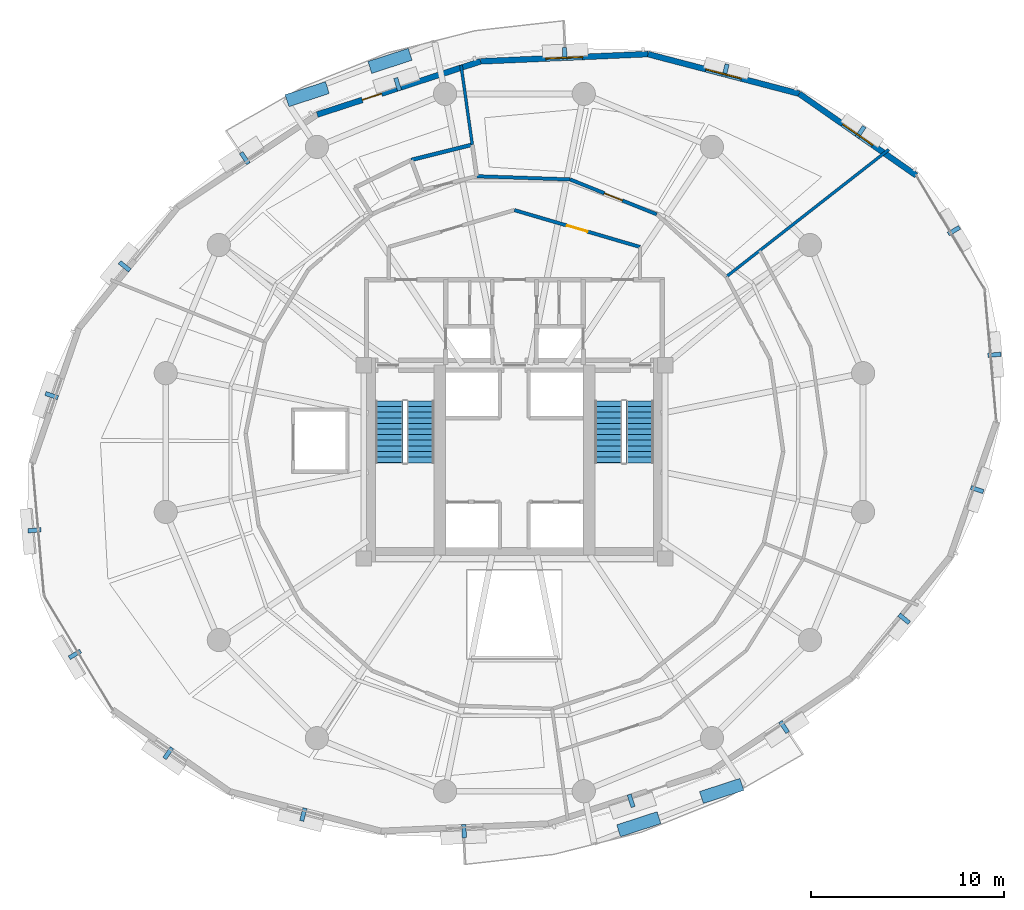
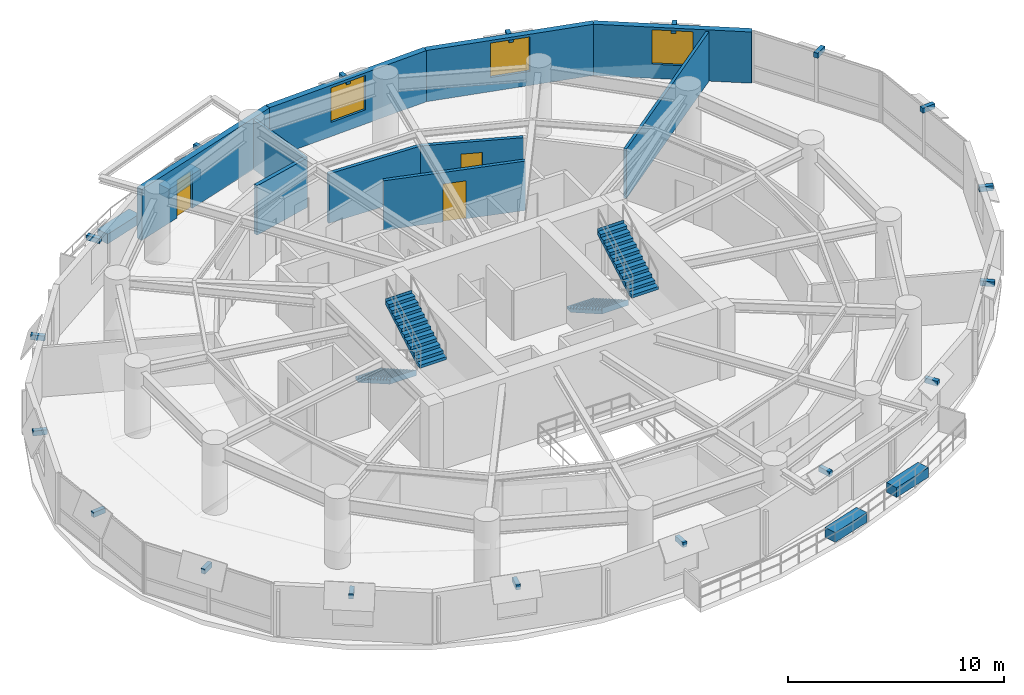
# One storey, part 12 of 15: 22 discrete accessories, 10 walls, 4 stair flights, 3 doors, 3 windows, 6 openings, 2 elements without a shape of their own.
"""IFC4 building model written with IfcOpenShell, lengths in metres."""

from ifc_helpers import new_model, si_unit, direction, frame, frame_2d, origin, origin_2d, place, context, subcontext, project, spatial, polyline, rectangle, outline, extrude, material, layer, layer_set, type_object, element, fill, aggregate, save


model = new_model("IFC4")

# Units and contexts
model_context = context("Model", 3, precision=1e-05, world=origin(), true_north=direction((0.0, 1.0)))
body_context = subcontext(model_context, "Body", "Model", "MODEL_VIEW")
ifc_project = project(units=[si_unit("LENGTHUNIT", "METRE"), si_unit("AREAUNIT", "SQUARE_METRE"), si_unit("VOLUMEUNIT", "CUBIC_METRE"), si_unit("PLANEANGLEUNIT", "RADIAN"), si_unit("MASSUNIT", "GRAM", prefix="KILO"), si_unit("THERMODYNAMICTEMPERATUREUNIT", "KELVIN"), si_unit("POWERUNIT", "WATT")], contexts=[model_context])

# Site, building, storey
site_placement = place(None, origin())
site = spatial("IfcSite", under=ifc_project, at=site_placement, CompositionType="ELEMENT")
building_placement = place(site_placement, origin())
building = spatial("IfcBuilding", under=site, at=building_placement, Name="Ocrelia Relay Tower", CompositionType="ELEMENT")
storey_placement = place(building_placement, frame((0.0, 0.0, 109.800048828125)))
storey = spatial("IfcBuildingStorey", under=building, at=storey_placement, Name="L25", CompositionType="ELEMENT", Elevation=109.800048828125)

# Wall, opening, door
ifc_material_1 = material(Name="Gypsum Fireboard Partition EI60", Category="gypsum")
ifc_layer_1 = layer(ifc_material_1, 0.179931640625, Name="Gypsum Fireboard Partition EI60")
ifc_layer_set_1 = layer_set([ifc_layer_1], Name="Gypsum Fireboard Partition EI60")
wall_type_1 = type_object("IfcWallType", Name="W-CORR-EI60-180", PredefinedType="PARTITIONING", material=ifc_layer_set_1)
wall_1_placement = place(storey_placement, frame((34.0, 38.030029296875, 0.0), z_axis=(0.0, 0.0, 1.0), x_axis=(0.959546654541, -0.281549671923, 0.0)))
wall_1 = element("IfcWall", 1, at=wall_1_placement, inside=storey, type_object=wall_type_1, Name="L25 North Smoke Lobby E Screen Wall", PredefinedType="PARTITIONING", context=body_context, shape_type="SweptSolid", body=[
    extrude(rectangle(XDim=6.77392578125, YDim=0.179931640625, at=frame_2d((3.386962890625, 0.0))), origin(), (0.0, 0.0, 1.0), 2.800048828125),
])
opening_1_placement = place(wall_1_placement, frame((2.8369140625, 0.0, 0.0)))
opening_1 = element("IfcOpeningElement", 2, at=opening_1_placement, cuts=wall_1, Name="Opening D-FD60", PredefinedType="OPENING", context=body_context, shape_type="SweptSolid", body=[
    extrude(rectangle(XDim=1.10009765625, YDim=2.14990234375, at=frame_2d((0.550048828125, 1.074951171875))), frame((0.0, 0.10009765625, 0.0), z_axis=(0.0, -1.0, 0.0), x_axis=(1.0, 0.0, 0.0)), (0.0, 0.0, 1.0), 0.199951171875),
])
ifc_material_2 = material(Name="Timber-core 60-min acoustic fire door", Category="wood")
door_type_1 = type_object("IfcDoorType", Name="DR-LOBBY-FD60-1100", OperationType="NOTDEFINED", PredefinedType="DOOR", material=ifc_material_2)
door_1_placement = place(opening_1_placement, origin())
door_1 = element("IfcDoor", 3, at=door_1_placement, inside=storey, type_object=door_type_1, Name="L25 North Smoke Lobby E Fire Door", OperationType="SINGLE_SWING_RIGHT", OverallHeight=2.14990234375, OverallWidth=1.10009765625, PredefinedType="DOOR", context=body_context, shape_type="SweptSolid", body=[
    extrude(rectangle(XDim=1.10009765625, YDim=2.14990234375, at=frame_2d((0.550048828125, 1.074951171875))), frame((0.0, 0.02490234375, 0.0), z_axis=(0.0, -1.0, 0.0), x_axis=(1.0, 0.0, 0.0)), (0.0, 0.0, 1.0), 0.050048828125),
])
fill(opening_1, door_1)

wall_2_placement = place(storey_placement, frame((41.3662109375, 37.811279296875, 0.0), z_axis=(0.0, 0.0, 1.0), x_axis=(-0.927512361667, 0.373792481138, 0.0)))
wall_2 = element("IfcWall", 4, at=wall_2_placement, inside=storey, type_object=wall_type_1, Name="L25 Shift Staff Lounge Corridor Partition 2", PredefinedType="PARTITIONING", context=body_context, shape_type="SweptSolid", body=[
    extrude(rectangle(XDim=4.83447265625, YDim=0.179931640625, at=frame_2d((2.417236328125, 0.0))), origin(), (0.0, 0.0, 1.0), 2.800048828125),
])
opening_2_placement = place(wall_2_placement, frame((1.917236328125, 0.0, 0.0)))
opening_2 = element("IfcOpeningElement", 5, at=opening_2_placement, cuts=wall_2, Name="Opening D-RM100", PredefinedType="OPENING", context=body_context, shape_type="SweptSolid", body=[
    extrude(rectangle(XDim=1.0, YDim=2.14990234375, at=frame_2d((0.5, 1.074951171875))), frame((0.0, 0.10009765625, 0.0), z_axis=(0.0, -1.0, 0.0), x_axis=(1.0, 0.0, 0.0)), (0.0, 0.0, 1.0), 0.199951171875),
])
ifc_material_3 = material(Name="Acoustic oak veneer fire door", Category="wood")
door_type_2 = type_object("IfcDoorType", Name="DR-ROOM-FD60-1000", OperationType="NOTDEFINED", PredefinedType="DOOR", material=ifc_material_3)
door_2_placement = place(opening_2_placement, origin())
door_2 = element("IfcDoor", 6, at=door_2_placement, inside=storey, type_object=door_type_2, Name="L25 Shift Staff Lounge Entrance Door", OperationType="SINGLE_SWING_LEFT", OverallHeight=2.14990234375, OverallWidth=1.0, PredefinedType="DOOR", context=body_context, shape_type="SweptSolid", body=[
    extrude(rectangle(XDim=1.0, YDim=2.14990234375, at=frame_2d((0.5, 1.074951171875))), frame((0.0, 0.02490234375, 0.0), z_axis=(0.0, -1.0, 0.0), x_axis=(1.0, 0.0, 0.0)), (0.0, 0.0, 1.0), 0.050048828125),
])
fill(opening_2, door_2)

# Wall
wall_3_placement = place(storey_placement, frame((36.882080078125, 39.618408203125, 0.0), z_axis=(0.0, 0.0, 1.0), x_axis=(-0.999422202169, 0.033989142557, 0.0)))
element("IfcWall", 7, at=wall_3_placement, inside=storey, type_object=wall_type_1, Name="L25 Shift Staff Lounge Corridor Partition 3", PredefinedType="PARTITIONING", context=body_context, shape_type="SweptSolid", body=[
    extrude(rectangle(XDim=4.833984375, YDim=0.179931640625, at=frame_2d((2.4169921875, 0.0))), origin(), (0.0, 0.0, 1.0), 2.800048828125),
])

# Wall, opening, window
ifc_material_4 = material(Name="Precast concrete C40/50 with oxide terracotta", Category="masonry")
ifc_layer_2 = layer(ifc_material_4, 0.300048828125, Name="Precast concrete C40/50 with oxide terracotta")
ifc_layer_set_2 = layer_set([ifc_layer_2], Name="Precast concrete C40/50 with oxide terracotta")
wall_type_2 = type_object("IfcWallType", Name="W-EXT-TERR-300", PredefinedType="SOLIDWALL", material=ifc_layer_set_2)
wall_4_placement = place(storey_placement, frame((54.795166015625, 39.827392578125, 0.0), z_axis=(0.0, 0.0, 1.0), x_axis=(-0.81984972054, 0.572578759412, 0.0)))
wall_4 = element("IfcWall", 8, at=wall_4_placement, inside=storey, type_object=wall_type_2, Name="L25 Oxide Terracotta Facade Wall 02", PredefinedType="SOLIDWALL", context=body_context, shape_type="SweptSolid", body=[
    extrude(rectangle(XDim=7.38330078125, YDim=0.300048828125, at=frame_2d((3.691650390625, 0.0))), origin(), (0.0, 0.0, 1.0), 2.89990234375),
])
opening_3_placement = place(wall_4_placement, frame((2.741943359375, 0.0, 0.800048828125)))
opening_3 = element("IfcOpeningElement", 9, at=opening_3_placement, cuts=wall_4, Name="Opening W-06", PredefinedType="OPENING", context=body_context, shape_type="SweptSolid", body=[
    extrude(rectangle(XDim=1.89990234375, YDim=1.949951171875, at=frame_2d((0.949951171875, 0.97509765625))), frame((0.0, 0.16015625, 0.0), z_axis=(0.0, -1.0, 0.0), x_axis=(1.0, 0.0, 0.0)), (0.0, 0.0, 1.0), 0.320068359375),
])
ifc_material_5 = material(Name="Clear double-glazed low-E glass", Category="glass")
window_type = type_object("IfcWindowType", Name="WIN-Z2-1900x2100", PartitioningType="DOUBLE_PANEL_VERTICAL", PredefinedType="WINDOW", material=ifc_material_5)
window_1_placement = place(opening_3_placement, origin())
window_1 = element("IfcWindow", 10, at=window_1_placement, inside=storey, type_object=window_type, Name="L25 Facade Module Window 02", OverallHeight=1.949951171875, OverallWidth=1.89990234375, PartitioningType="SINGLE_PANEL", PredefinedType="WINDOW", context=body_context, shape_type="SweptSolid", body=[
    extrude(rectangle(XDim=1.89990234375, YDim=1.949951171875, at=frame_2d((0.949951171875, 0.97509765625))), frame((0.0, 0.030029296875, 0.0), z_axis=(0.0, -1.0, 0.0), x_axis=(1.0, 0.0, 0.0)), (0.0, 0.0, 1.0), 0.06005859375),
])
fill(opening_3, window_1)

wall_5_placement = place(storey_placement, frame((48.741943359375, 44.054931640625, 0.0), z_axis=(0.0, 0.0, 1.0), x_axis=(-0.96741005133, 0.253214913831, 0.0)))
wall_5 = element("IfcWall", 11, at=wall_5_placement, inside=storey, type_object=wall_type_2, Name="L25 Oxide Terracotta Facade Wall 03", PredefinedType="SOLIDWALL", context=body_context, shape_type="SweptSolid", body=[
    extrude(rectangle(XDim=8.09521484375, YDim=0.300048828125, at=frame_2d((4.047607421875, 0.0))), origin(), (0.0, 0.0, 1.0), 2.89990234375),
])
opening_4_placement = place(wall_5_placement, frame((3.097900390625, 0.0, 0.800048828125)))
opening_4 = element("IfcOpeningElement", 12, at=opening_4_placement, cuts=wall_5, Name="Opening W-06", PredefinedType="OPENING", context=body_context, shape_type="SweptSolid", body=[
    extrude(rectangle(XDim=1.89990234375, YDim=1.949951171875, at=frame_2d((0.949951171875, 0.97509765625))), frame((0.0, 0.16015625, 0.0), z_axis=(0.0, -1.0, 0.0), x_axis=(1.0, 0.0, 0.0)), (0.0, 0.0, 1.0), 0.320068359375),
])
window_2_placement = place(opening_4_placement, origin())
window_2 = element("IfcWindow", 13, at=window_2_placement, inside=storey, type_object=window_type, Name="L25 Facade Module Window 03", OverallHeight=1.949951171875, OverallWidth=1.89990234375, PartitioningType="SINGLE_PANEL", PredefinedType="WINDOW", context=body_context, shape_type="SweptSolid", body=[
    extrude(rectangle(XDim=1.89990234375, YDim=1.949951171875, at=frame_2d((0.949951171875, 0.97509765625))), frame((0.0, 0.030029296875, 0.0), z_axis=(0.0, -1.0, 0.0), x_axis=(1.0, 0.0, 0.0)), (0.0, 0.0, 1.0), 0.06005859375),
])
fill(opening_4, window_2)

wall_6_placement = place(storey_placement, frame((40.91064453125, 46.104736328125, 0.0), z_axis=(0.0, 0.0, 1.0), x_axis=(-0.999064795905, -0.043238103365, 0.0)))
wall_6 = element("IfcWall", 14, at=wall_6_placement, inside=storey, type_object=wall_type_2, Name="L25 Oxide Terracotta Facade Wall 04", PredefinedType="SOLIDWALL", context=body_context, shape_type="SweptSolid", body=[
    extrude(rectangle(XDim=8.6728515625, YDim=0.300048828125, at=frame_2d((4.33642578125, 0.0))), origin(), (0.0, 0.0, 1.0), 2.89990234375),
])
opening_5_placement = place(wall_6_placement, frame((3.385986328125, 0.0, 0.800048828125)))
opening_5 = element("IfcOpeningElement", 15, at=opening_5_placement, cuts=wall_6, Name="Opening W-06", PredefinedType="OPENING", context=body_context, shape_type="SweptSolid", body=[
    extrude(rectangle(XDim=1.89990234375, YDim=1.949951171875, at=frame_2d((0.949951171875, 0.97509765625))), frame((0.0, 0.16015625, 0.0), z_axis=(0.0, -1.0, 0.0), x_axis=(1.0, 0.0, 0.0)), (0.0, 0.0, 1.0), 0.320068359375),
])
window_3_placement = place(opening_5_placement, origin())
window_3 = element("IfcWindow", 16, at=window_3_placement, inside=storey, type_object=window_type, Name="L25 Facade Module Window 04", OverallHeight=1.949951171875, OverallWidth=1.89990234375, PartitioningType="SINGLE_PANEL", PredefinedType="WINDOW", context=body_context, shape_type="SweptSolid", body=[
    extrude(rectangle(XDim=1.89990234375, YDim=1.949951171875, at=frame_2d((0.949951171875, 0.97509765625))), frame((0.0, 0.030029296875, 0.0), z_axis=(0.0, -1.0, 0.0), x_axis=(1.0, 0.0, 0.0)), (0.0, 0.0, 1.0), 0.06005859375),
])
fill(opening_5, window_3)

# Wall, opening, door
wall_7_placement = place(storey_placement, frame((32.245849609375, 45.729736328125, 0.0), z_axis=(0.0, 0.0, 1.0), x_axis=(-0.950784544228, -0.309852788363, 0.0)))
wall_7 = element("IfcWall", 17, at=wall_7_placement, inside=storey, type_object=wall_type_2, Name="L25 Oxide Terracotta Facade Wall 05", PredefinedType="SOLIDWALL", context=body_context, shape_type="SweptSolid", body=[
    extrude(rectangle(XDim=8.890869140625, YDim=0.300048828125, at=frame_2d((4.4453125, 0.0))), origin(), (0.0, 0.0, 1.0), 2.89990234375),
])
opening_6_placement = place(wall_7_placement, frame((5.389892578125, 0.0, 0.0)))
opening_6 = element("IfcOpeningElement", 18, at=opening_6_placement, cuts=wall_7, Name="Opening DB-105", PredefinedType="OPENING", context=body_context, shape_type="SweptSolid", body=[
    extrude(rectangle(XDim=1.050048828125, YDim=2.14990234375, at=frame_2d((0.52490234375, 1.074951171875))), frame((0.0, 0.16015625, 0.0), z_axis=(0.0, -1.0, 0.0), x_axis=(1.0, 0.0, 0.0)), (0.0, 0.0, 1.0), 0.320068359375),
])
ifc_material_6 = material(Name="Thermally broken aluminium and clear glass", Category="aluminium")
door_type_3 = type_object("IfcDoorType", Name="DR-BALC-1050", OperationType="NOTDEFINED", PredefinedType="DOOR", material=ifc_material_6)
door_3_placement = place(opening_6_placement, origin())
door_3 = element("IfcDoor", 19, at=door_3_placement, inside=storey, type_object=door_type_3, Name="L25 Planted Loggia Balcony Door B1", OperationType="SINGLE_SWING_LEFT", OverallHeight=2.14990234375, OverallWidth=1.050048828125, PredefinedType="DOOR", context=body_context, shape_type="SweptSolid", body=[
    extrude(rectangle(XDim=1.050048828125, YDim=2.14990234375, at=frame_2d((0.52490234375, 1.074951171875))), frame((0.0, 0.02490234375, 0.0), z_axis=(0.0, -1.0, 0.0), x_axis=(1.0, 0.0, 0.0)), (0.0, 0.0, 1.0), 0.050048828125),
])
fill(opening_6, door_3)

# Walls
ifc_material_7 = material(Name="Acoustic Fireboard Partition EI60", Category="gypsum")
ifc_layer_3 = layer(ifc_material_7, 0.14990234375, Name="Acoustic Fireboard Partition EI60")
ifc_layer_set_3 = layer_set([ifc_layer_3], Name="Acoustic Fireboard Partition EI60")
wall_type_3 = type_object("IfcWallType", Name="W-PART-150", PredefinedType="PARTITIONING", material=ifc_layer_set_3)
wall_8_placement = place(storey_placement, frame((31.819580078125, 41.41650390625, 0.0), z_axis=(0.0, 0.0, 1.0), x_axis=(-0.14001401956, 0.990149521197, 0.0)))
element("IfcWall", 20, at=wall_8_placement, inside=storey, type_object=wall_type_3, Name="L25 Network Engineering Office A Radial Partition", PredefinedType="PARTITIONING", context=body_context, shape_type="SweptSolid", body=[
    extrude(rectangle(XDim=4.153564453125, YDim=0.14990234375, at=frame_2d((2.07666015625, 0.0))), origin(), (0.0, 0.0, 1.0), 2.800048828125),
])
wall_9_placement = place(storey_placement, frame((44.961669921875, 34.57958984375, 0.0), z_axis=(0.0, 0.0, 1.0), x_axis=(0.787474621986, 0.616347077326, 0.0)))
element("IfcWall", 21, at=wall_9_placement, inside=storey, type_object=wall_type_3, Name="L25 Peering Conference Room Radial Partition", PredefinedType="PARTITIONING", context=body_context, shape_type="SweptSolid", body=[
    extrude(rectangle(XDim=10.684326171875, YDim=0.14990234375, at=frame_2d((5.34228515625, 0.0))), origin(), (0.0, 0.0, 1.0), 2.800048828125),
])
ifc_material_8 = material(Name="Moisture-Resistant Fireboard Chase Wall EI60", Category="gypsum")
ifc_layer_4 = layer(ifc_material_8, 0.199951171875, Name="Moisture-Resistant Fireboard Chase Wall EI60")
ifc_layer_set_4 = layer_set([ifc_layer_4], Name="Moisture-Resistant Fireboard Chase Wall EI60")
wall_type_4 = type_object("IfcWallType", Name="W-PLUMB-200", PredefinedType="PLUMBINGWALL", material=ifc_layer_set_4)
wall_10_placement = place(storey_placement, frame((31.819580078125, 41.41650390625, 0.0), z_axis=(0.0, 0.0, 1.0), x_axis=(-0.970093945357, -0.242729761631, 0.0)))
element("IfcWall", 22, at=wall_10_placement, inside=storey, type_object=wall_type_4, Name="L25 Staff Toilet Back Plumbing Wall", PredefinedType="PLUMBINGWALL", context=body_context, shape_type="SweptSolid", body=[
    extrude(rectangle(XDim=3.2548828125, YDim=0.199951171875, at=frame_2d((1.62744140625, 0.0))), origin(), (0.0, 0.0, 1.0), 2.800048828125),
])

# Stair, stair flights
ifc_material_9 = material(Name="Concrete C50/60", Category="concrete")
stair_type = type_object("IfcStairType", Name="ST-DL-1420-R167", PredefinedType="HALF_TURN_STAIR", material=ifc_material_9)
stair_1_placement = place(storey_placement, origin())
stair_1 = element("IfcStair", 23, at=stair_1_placement, inside=storey, type_object=stair_type, Name="L25 West Core Exit Stair ST1", PredefinedType="HALF_TURN_STAIR")
stair_flight_type = type_object("IfcStairFlightType", Name="STF-DL-1420-R167", PredefinedType="STRAIGHT", material=ifc_material_9)
stair_flight_1_placement = place(storey_placement, frame((27.52001953125, 28.14990234375, 0.0), z_axis=(0.0, 0.0, 1.0), x_axis=(0.0, -1.0, 0.0)))
stair_flight_1 = element("IfcStairFlight", 24, at=stair_flight_1_placement, type_object=stair_flight_type, Name="ST1 flight 1", NumberOfRisers=12, NumberOfTreads=11, PredefinedType="STRAIGHT", RiserHeight=0.166666667, TreadLength=0.29, context=body_context, shape_type="SweptSolid", body=[
    extrude(outline(polyline([(-0.008056640625, 0.0), (-0.008056640625, 0.166748046875), (0.0, 0.166748046875), (0.2900390625, 0.166748046875), (0.2900390625, 0.333251953125), (0.580078125, 0.333251953125), (0.580078125, 0.5), (0.8701171875, 0.5), (0.8701171875, 0.666748046875), (1.159912109375, 0.666748046875), (1.159912109375, 0.833251953125), (1.449951171875, 0.833251953125), (1.449951171875, 1.0), (1.739990234375, 1.0), (1.739990234375, 1.166748046875), (2.030029296875, 1.166748046875), (2.030029296875, 1.333251953125), (2.320068359375, 1.333251953125), (2.320068359375, 1.5), (2.610107421875, 1.5), (2.610107421875, 1.666748046875), (2.89990234375, 1.666748046875), (2.89990234375, 1.833251953125), (3.18994140625, 1.833251953125), (3.18994140625, 2.0), (3.197998046875, 2.0), (3.197998046875, 1.660400390625), (0.30078125, 0.0), (-0.008056640625, 0.0)])), frame((0.0, 0.7099609375, 0.0), z_axis=(0.0, -1.0, 0.0), x_axis=(1.0, 0.0, 0.0)), (0.0, 0.0, 1.0), 1.419921875),
])
stair_flight_2_placement = place(storey_placement, frame((29.139892578125, 24.9599609375, 2.0), z_axis=(0.0, 0.0, 1.0), x_axis=(0.0, 1.0, 0.0)))
stair_flight_2 = element("IfcStairFlight", 25, at=stair_flight_2_placement, type_object=stair_flight_type, Name="ST1 flight 2", NumberOfRisers=12, NumberOfTreads=11, PredefinedType="STRAIGHT", RiserHeight=0.166666667, TreadLength=0.29, context=body_context, shape_type="SweptSolid", body=[
    extrude(outline(polyline([(-0.008056640625, 0.0), (-0.008056640625, 0.166748046875), (0.0, 0.166748046875), (0.2900390625, 0.166748046875), (0.2900390625, 0.333251953125), (0.580078125, 0.333251953125), (0.580078125, 0.5), (0.8701171875, 0.5), (0.8701171875, 0.666748046875), (1.159912109375, 0.666748046875), (1.159912109375, 0.833251953125), (1.449951171875, 0.833251953125), (1.449951171875, 1.0), (1.739990234375, 1.0), (1.739990234375, 1.166748046875), (2.030029296875, 1.166748046875), (2.030029296875, 1.333251953125), (2.320068359375, 1.333251953125), (2.320068359375, 1.5), (2.610107421875, 1.5), (2.610107421875, 1.666748046875), (2.89990234375, 1.666748046875), (2.89990234375, 1.833251953125), (3.18994140625, 1.833251953125), (3.18994140625, 2.0), (3.197998046875, 2.0), (3.197998046875, 1.660400390625), (0.30078125, 0.0), (-0.008056640625, 0.0)])), frame((0.0, 0.7099609375, 0.0), z_axis=(0.0, -1.0, 0.0), x_axis=(1.0, 0.0, 0.0)), (0.0, 0.0, 1.0), 1.419921875),
])
aggregate(stair_1, [stair_flight_1, stair_flight_2])

stair_2_placement = place(storey_placement, origin())
stair_2 = element("IfcStair", 26, at=stair_2_placement, inside=storey, type_object=stair_type, Name="L25 East Core Exit Stair ST2", PredefinedType="HALF_TURN_STAIR")
stair_flight_3_placement = place(storey_placement, frame((38.8701171875, 28.14990234375, 0.0), z_axis=(0.0, 0.0, 1.0), x_axis=(0.0, -1.0, 0.0)))
stair_flight_3 = element("IfcStairFlight", 27, at=stair_flight_3_placement, type_object=stair_flight_type, Name="ST2 flight 1", NumberOfRisers=12, NumberOfTreads=11, PredefinedType="STRAIGHT", RiserHeight=0.166666667, TreadLength=0.29, context=body_context, shape_type="SweptSolid", body=[
    extrude(outline(polyline([(-0.008056640625, 0.0), (-0.008056640625, 0.166748046875), (0.0, 0.166748046875), (0.2900390625, 0.166748046875), (0.2900390625, 0.333251953125), (0.580078125, 0.333251953125), (0.580078125, 0.5), (0.8701171875, 0.5), (0.8701171875, 0.666748046875), (1.159912109375, 0.666748046875), (1.159912109375, 0.833251953125), (1.449951171875, 0.833251953125), (1.449951171875, 1.0), (1.739990234375, 1.0), (1.739990234375, 1.166748046875), (2.030029296875, 1.166748046875), (2.030029296875, 1.333251953125), (2.320068359375, 1.333251953125), (2.320068359375, 1.5), (2.610107421875, 1.5), (2.610107421875, 1.666748046875), (2.89990234375, 1.666748046875), (2.89990234375, 1.833251953125), (3.18994140625, 1.833251953125), (3.18994140625, 2.0), (3.197998046875, 2.0), (3.197998046875, 1.660400390625), (0.30078125, 0.0), (-0.008056640625, 0.0)])), frame((0.0, 0.7099609375, 0.0), z_axis=(0.0, -1.0, 0.0), x_axis=(1.0, 0.0, 0.0)), (0.0, 0.0, 1.0), 1.419921875),
])
stair_flight_4_placement = place(storey_placement, frame((40.489990234375, 24.9599609375, 2.0), z_axis=(0.0, 0.0, 1.0), x_axis=(0.0, 1.0, 0.0)))
stair_flight_4 = element("IfcStairFlight", 28, at=stair_flight_4_placement, type_object=stair_flight_type, Name="ST2 flight 2", NumberOfRisers=12, NumberOfTreads=11, PredefinedType="STRAIGHT", RiserHeight=0.166666667, TreadLength=0.29, context=body_context, shape_type="SweptSolid", body=[
    extrude(outline(polyline([(-0.008056640625, 0.0), (-0.008056640625, 0.166748046875), (0.0, 0.166748046875), (0.2900390625, 0.166748046875), (0.2900390625, 0.333251953125), (0.580078125, 0.333251953125), (0.580078125, 0.5), (0.8701171875, 0.5), (0.8701171875, 0.666748046875), (1.159912109375, 0.666748046875), (1.159912109375, 0.833251953125), (1.449951171875, 0.833251953125), (1.449951171875, 1.0), (1.739990234375, 1.0), (1.739990234375, 1.166748046875), (2.030029296875, 1.166748046875), (2.030029296875, 1.333251953125), (2.320068359375, 1.333251953125), (2.320068359375, 1.5), (2.610107421875, 1.5), (2.610107421875, 1.666748046875), (2.89990234375, 1.666748046875), (2.89990234375, 1.833251953125), (3.18994140625, 1.833251953125), (3.18994140625, 2.0), (3.197998046875, 2.0), (3.197998046875, 1.660400390625), (0.30078125, 0.0), (-0.008056640625, 0.0)])), frame((0.0, 0.7099609375, 0.0), z_axis=(0.0, -1.0, 0.0), x_axis=(1.0, 0.0, 0.0)), (0.0, 0.0, 1.0), 1.419921875),
])
aggregate(stair_2, [stair_flight_3, stair_flight_4])

# Discrete accessories
ifc_material_10 = material(Name="Precast concrete C40/50 planter with highland greenery", Category="concrete")
discrete_accessory_type_1 = type_object("IfcDiscreteAccessoryType", Name="ACC-BALC-PLANTER", PredefinedType="USERDEFINED", material=ifc_material_10)
for number, where, z_axis, x_axis, name in (
    (29, (27.56201171875, 45.7548828125, 0.0), (0.0, 0.0, 1.0), (0.950784345886, 0.309853396977, 0.0), "L25 Balcony Terracotta Planter with Greenery B1"),
    (30, (23.2734375, 44.031494140625, 0.0), (0.0, 0.0, 1.0), (0.950784345886, 0.309853396977, 0.0), "L25 Balcony Terracotta Planter B1-2"),
    (31, (40.43798828125, 6.2451171875, 0.0), (0.0, 0.0, 1.0), (-0.950784345886, -0.309853396977, 0.0), "L25 Balcony Terracotta Planter with Greenery B2"),
    (32, (44.7265625, 7.968505859375, 0.0), (0.0, 0.0, 1.0), (-0.950784345886, -0.309853396977, 0.0), "L25 Balcony Terracotta Planter B2-2"),
):
    element("IfcDiscreteAccessory", number, at=place(storey_placement, frame(where, z_axis=z_axis, x_axis=x_axis)), inside=storey, type_object=discrete_accessory_type_1, Name=name, ObjectType="PLANTER", PredefinedType="USERDEFINED", context=body_context, shape_type="SweptSolid", body=[
        extrude(rectangle(XDim=2.199951171875, YDim=0.64990234375, at=origin_2d()), origin(), (0.0, 0.0, 1.0), 0.550048828125),
    ])
ifc_material_11 = material(Name="Steel S355", Category="steel")
discrete_accessory_type_2 = type_object("IfcDiscreteAccessoryType", Name="ACC-VISOR-BRACKET", PredefinedType="BRACKET", material=ifc_material_11)
for number, where, z_axis, x_axis, name in (
    (33, (56.747802734375, 36.966552734375, 2.60009765625), (0.0, 0.0, 1.0), (-0.51532070347, 0.856997416901, 0.0), "L25 Visor Mounting Bracket 01"),
    (34, (51.91748046875, 42.07470703125, 2.60009765625), (0.0, 0.0, 1.0), (-0.819851198105, 0.572576643749, 0.0), "L25 Visor Mounting Bracket 02"),
    (35, (44.925048828125, 45.25390625, 2.60009765625), (0.0, 0.0, 1.0), (-0.96740717635, 0.253225897464, 0.0), "L25 Visor Mounting Bracket 03"),
    (36, (36.60400390625, 46.115478515625, 2.60009765625), (0.0, 0.0, 1.0), (-0.999064298858, -0.043249586665, 0.0), "L25 Visor Mounting Bracket 04"),
    (37, (27.957275390625, 44.54248046875, 2.60009765625), (0.0, 0.0, 1.0), (-0.950786541625, -0.309846659278, 0.0), "L25 Visor Mounting Bracket 05"),
    (38, (20.0439453125, 40.718994140625, 2.60009765625), (0.0, 0.0, 1.0), (-0.832713130863, -0.553704652038, 0.0), "L25 Visor Mounting Bracket 06"),
    (39, (13.828369140625, 35.119873046875, 2.60009765625), (0.0, 0.0, 1.0), (-0.632465896633, -0.774588206466, 0.0), "L25 Visor Mounting Bracket 07"),
    (40, (10.0517578125, 28.431396484375, 2.60009765625), (0.0, 0.0, 1.0), (-0.32505970653, -0.945693495373, 0.0), "L25 Visor Mounting Bracket 08"),
    (41, (9.15869140625, 21.4580078125, 2.60009765625), (0.0, 0.0, 1.0), (0.088557738612, -0.996071045123, 0.0), "L25 Visor Mounting Bracket 09"),
    (42, (11.252197265625, 15.033447265625, 2.60009765625), (0.0, 0.0, 1.0), (0.51532070347, -0.856997416901, 0.0), "L25 Visor Mounting Bracket 10"),
    (43, (16.08251953125, 9.92529296875, 2.60009765625), (0.0, 0.0, 1.0), (0.819851198105, -0.572576643749, 0.0), "L25 Visor Mounting Bracket 11"),
    (44, (23.074951171875, 6.74609375, 2.60009765625), (0.0, 0.0, 1.0), (0.96740717635, -0.253225897464, 0.0), "L25 Visor Mounting Bracket 12"),
    (45, (31.39599609375, 5.884521484375, 2.60009765625), (0.0, 0.0, 1.0), (0.999064298858, 0.043249586665, 0.0), "L25 Visor Mounting Bracket 13"),
    (46, (40.042724609375, 7.45751953125, 2.60009765625), (0.0, 0.0, 1.0), (0.950786541625, 0.309846659278, 0.0), "L25 Visor Mounting Bracket 14"),
    (47, (47.9560546875, 11.281005859375, 2.60009765625), (0.0, 0.0, 1.0), (0.832713130863, 0.553704652038, 0.0), "L25 Visor Mounting Bracket 15"),
    (48, (54.171630859375, 16.880126953125, 2.60009765625), (0.0, 0.0, 1.0), (0.632465896633, 0.774588206466, 0.0), "L25 Visor Mounting Bracket 16"),
    (49, (57.9482421875, 23.568603515625, 2.60009765625), (0.0, 0.0, 1.0), (0.32505970653, 0.945693495373, 0.0), "L25 Visor Mounting Bracket 17"),
    (50, (58.84130859375, 30.5419921875, 2.60009765625), (0.0, 0.0, 1.0), (-0.088557738612, 0.996071045123, 0.0), "L25 Visor Mounting Bracket 18"),
):
    element("IfcDiscreteAccessory", number, at=place(storey_placement, frame(where, z_axis=z_axis, x_axis=x_axis)), inside=storey, type_object=discrete_accessory_type_2, Name=name, PredefinedType="BRACKET", context=body_context, shape_type="SweptSolid", body=[
        extrude(rectangle(XDim=0.219970703125, YDim=0.679931640625, at=origin_2d()), origin(), (0.0, 0.0, 1.0), 0.280029296875),
    ])

save(model, "model.ifc")
